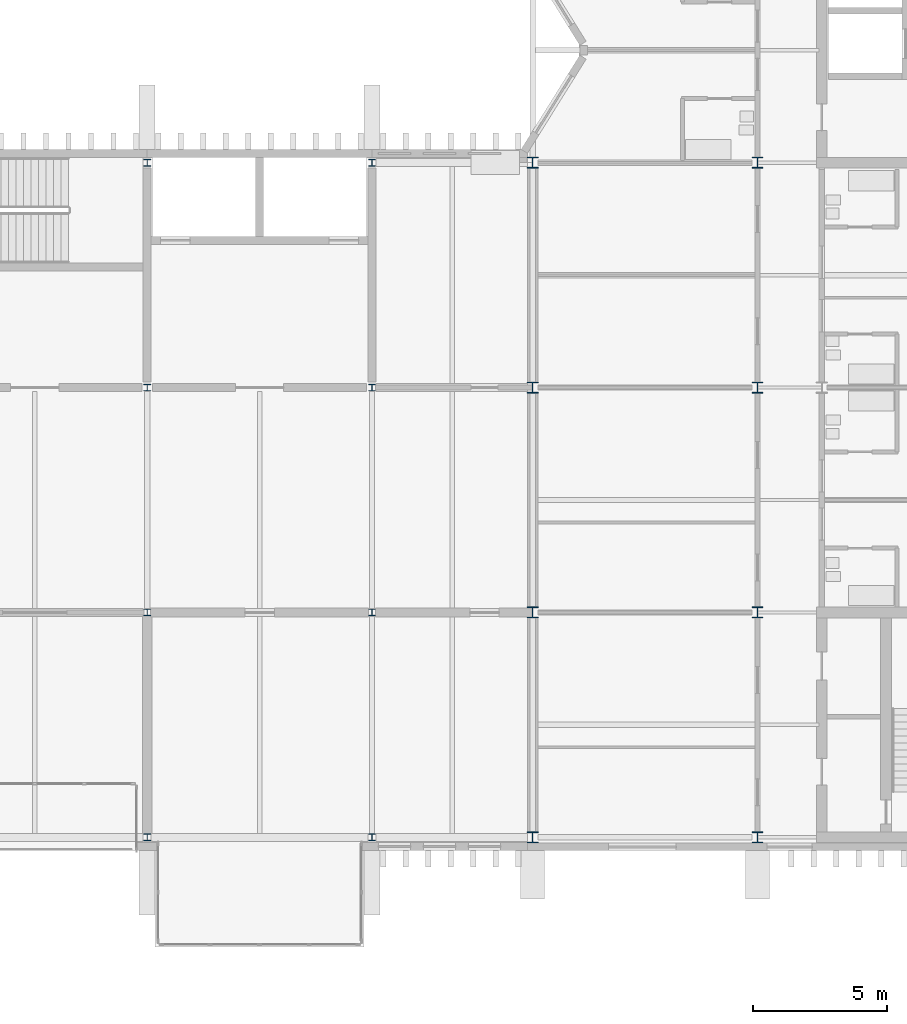
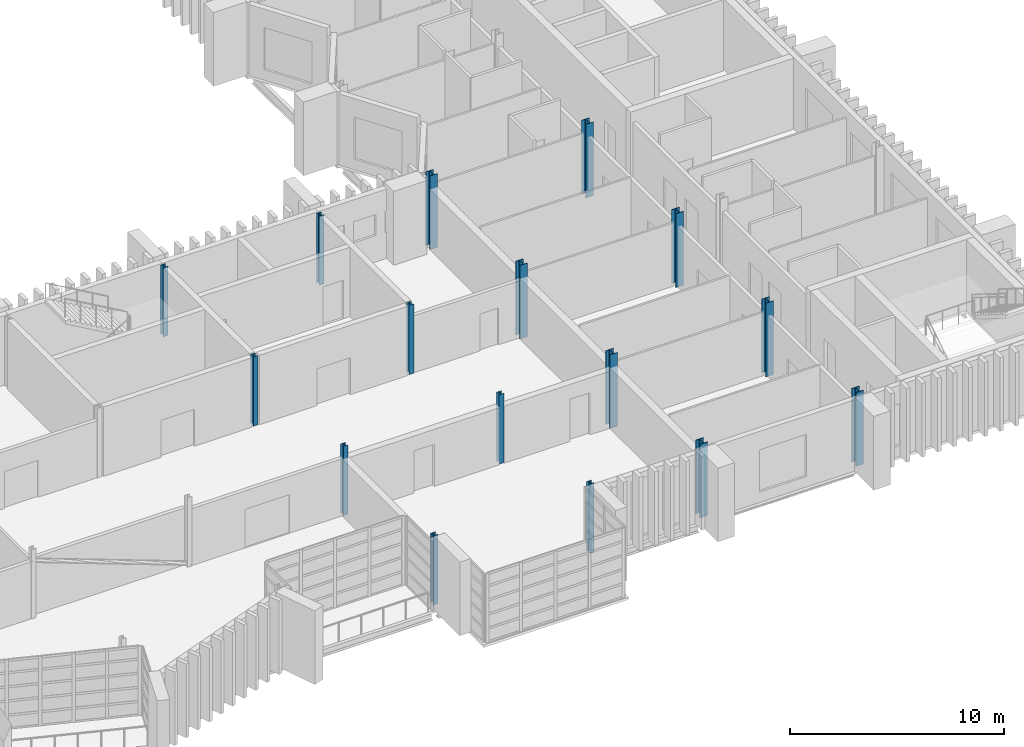
# One storey, part 11 of 88: 16 columns.
"""IFC4 building model written with IfcOpenShell, lengths in metres."""

from ifc_helpers import new_model, si_unit, direction, frame, origin, origin_2d, place, context, subcontext, project, spatial, i_section, extrude, material, material_profile, profile_set, type_object, element, save


model = new_model("IFC4")

# Units and contexts
model_context = context("Model", 3, precision=1e-05, world=origin(), true_north=direction((0.0, 1.0)))
body_context = subcontext(model_context, "Body", "Model", "MODEL_VIEW")
ifc_project = project(units=[si_unit("LENGTHUNIT", "METRE"), si_unit("AREAUNIT", "SQUARE_METRE"), si_unit("VOLUMEUNIT", "CUBIC_METRE"), si_unit("PLANEANGLEUNIT", "RADIAN"), si_unit("MASSUNIT", "GRAM", prefix="KILO")], contexts=[model_context])

# Site, building, storey
site_placement = place(None, origin())
site = spatial("IfcSite", under=ifc_project, at=site_placement, CompositionType="ELEMENT")
building_placement = place(site_placement, origin())
building = spatial("IfcBuilding", under=site, at=building_placement, Name="Cresset Court Congress Hotel", CompositionType="ELEMENT")
storey_placement = place(building_placement, frame((0.0, 0.0, 14.39990234375)))
storey = spatial("IfcBuildingStorey", under=building, at=storey_placement, Name="L03", CompositionType="ELEMENT", Elevation=14.39990234375)

# Columns
ifc_material_1 = material(Name="Structural steel Q355B", Category="steel")
ifc_material_profile_1 = material_profile(ifc_material_1, i_section(OverallWidth=0.25, OverallDepth=0.25, WebThickness=0.009033203125, FlangeThickness=0.013916015625, FilletRadius=0.012939453125, at=origin_2d()), Name="HW250x250x9x14")
ifc_profile_set_1 = profile_set([ifc_material_profile_1], Name="Structural steel Q355B")
column_type_1 = type_object("IfcColumnType", Name="Steel column HW250x250x9x14", PredefinedType="COLUMN", material=ifc_profile_set_1)
for number, where, z_axis, x_axis, name in (
    (1, (142.800048828125, 0.0, 0.0), (0.0, 0.0, 1.0), (1.0, 0.0, 0.0), "B.col.L03.18A"),
    (2, (142.800048828125, 8.39990234375, 0.0), (0.0, 0.0, 1.0), (1.0, 0.0, 0.0), "B.col.L03.18B"),
    (3, (142.800048828125, 16.800048828125, 0.0), (0.0, 0.0, 1.0), (1.0, 0.0, 0.0), "B.col.L03.18C"),
    (4, (142.800048828125, 25.199951171875, 0.0), (0.0, 0.0, 1.0), (1.0, 0.0, 0.0), "B.col.L03.18D"),
    (5, (151.199951171875, 0.0, 0.0), (0.0, 0.0, 1.0), (1.0, 0.0, 0.0), "B.col.L03.19A"),
    (6, (151.199951171875, 8.39990234375, 0.0), (0.0, 0.0, 1.0), (1.0, 0.0, 0.0), "B.col.L03.19B"),
    (7, (151.199951171875, 16.800048828125, 0.0), (0.0, 0.0, 1.0), (1.0, 0.0, 0.0), "B.col.L03.19C"),
    (8, (151.199951171875, 25.199951171875, 0.0), (0.0, 0.0, 1.0), (1.0, 0.0, 0.0), "B.col.L03.19D"),
):
    element("IfcColumn", number, at=place(storey_placement, frame(where, z_axis=z_axis, x_axis=x_axis)), inside=storey, type_object=column_type_1, Name=name, PredefinedType="COLUMN", context=body_context, shape_type="SweptSolid", body=[
        extrude(i_section(OverallWidth=0.25, OverallDepth=0.25, WebThickness=0.009033203125, FlangeThickness=0.013916015625, FilletRadius=0.012939453125, at=origin_2d()), origin(), (0.0, 0.0, 1.0), 3.9501953125),
    ])
ifc_material_2 = material(Name="Structural steel Q355B", Category="steel")
ifc_material_profile_2 = material_profile(ifc_material_2, i_section(OverallWidth=0.405029296875, OverallDepth=0.4140625, WebThickness=0.01806640625, FlangeThickness=0.028076171875, FilletRadius=0.02197265625, at=origin_2d()), Name="HW414x405x18x28")
ifc_profile_set_2 = profile_set([ifc_material_profile_2], Name="Structural steel Q355B")
column_type_2 = type_object("IfcColumnType", Name="Steel column HW414x405x18x28", PredefinedType="COLUMN", material=ifc_profile_set_2)
for number, where, z_axis, x_axis, name in (
    (9, (157.199951171875, 0.0, 0.0), (0.0, 0.0, 1.0), (1.0, 0.0, 0.0), "Column L03 1-20"),
    (10, (157.199951171875, 8.39990234375, 0.0), (0.0, 0.0, 1.0), (1.0, 0.0, 0.0), "Column L03 2-20"),
    (11, (157.199951171875, 16.800048828125, 0.0), (0.0, 0.0, 1.0), (1.0, 0.0, 0.0), "Column L03 3-20"),
    (12, (157.199951171875, 25.199951171875, 0.0), (0.0, 0.0, 1.0), (1.0, 0.0, 0.0), "Column L03 4-20"),
    (13, (165.60009765625, 0.0, 0.0), (0.0, 0.0, 1.0), (1.0, 0.0, 0.0), "Column L03 1-21"),
    (14, (165.60009765625, 8.39990234375, 0.0), (0.0, 0.0, 1.0), (1.0, 0.0, 0.0), "Column L03 2-21"),
    (15, (165.60009765625, 16.800048828125, 0.0), (0.0, 0.0, 1.0), (1.0, 0.0, 0.0), "Column L03 3-21"),
    (16, (165.60009765625, 25.199951171875, 0.0), (0.0, 0.0, 1.0), (1.0, 0.0, 0.0), "Column L03 4-21"),
):
    element("IfcColumn", number, at=place(storey_placement, frame(where, z_axis=z_axis, x_axis=x_axis)), inside=storey, type_object=column_type_2, Name=name, PredefinedType="COLUMN", context=body_context, shape_type="SweptSolid", body=[
        extrude(i_section(OverallWidth=0.405029296875, OverallDepth=0.4140625, WebThickness=0.01806640625, FlangeThickness=0.028076171875, FilletRadius=0.02197265625, at=origin_2d()), origin(), (0.0, 0.0, 1.0), 4.2001953125),
    ])

save(model, "model.ifc")
